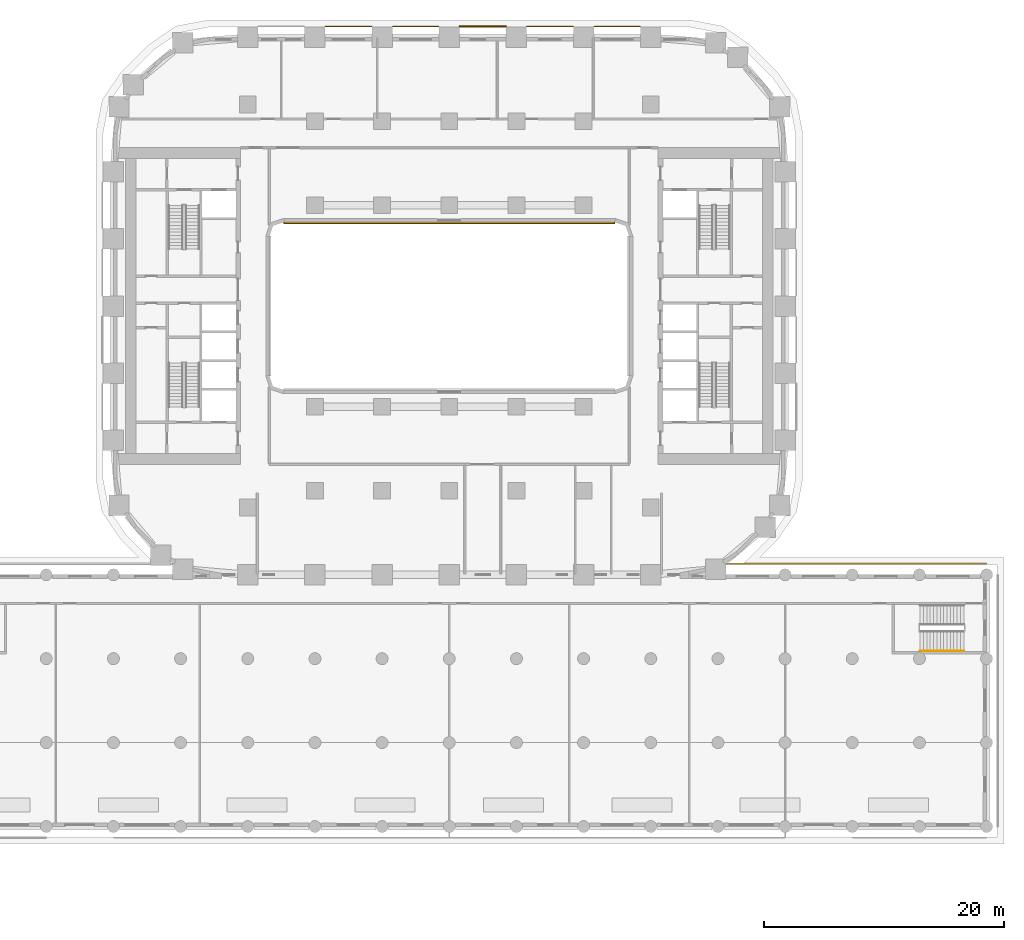
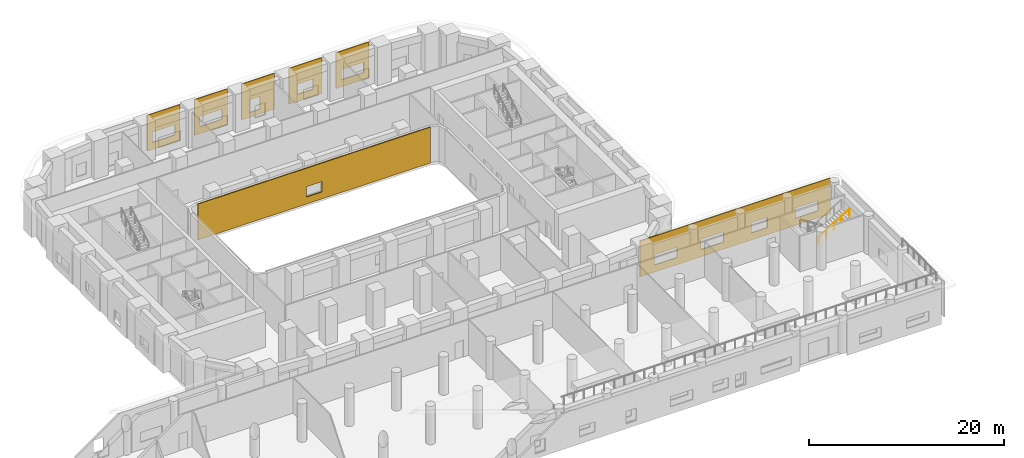
# One storey, part 21 of 23: 7 coverings, 1 railing.
"""IFC4 building model written with IfcOpenShell, lengths in metres."""

from ifc_helpers import new_model, si_unit, direction, frame, origin, origin_2d, place, context, subcontext, project, spatial, polyline, circle, outline, extrude, material, layer, layer_set, type_object, element, save


model = new_model("IFC4")

# Units and contexts
model_context = context("Model", 3, precision=1e-05, world=origin(), true_north=direction((0.0, 1.0)))
body_context = subcontext(model_context, "Body", "Model", "MODEL_VIEW")
ifc_project = project(units=[si_unit("LENGTHUNIT", "METRE"), si_unit("AREAUNIT", "SQUARE_METRE"), si_unit("VOLUMEUNIT", "CUBIC_METRE"), si_unit("PLANEANGLEUNIT", "RADIAN"), si_unit("MASSUNIT", "GRAM", prefix="KILO")], contexts=[model_context])

# Site, building, storey
site_placement = place(None, origin())
site = spatial("IfcSite", under=ifc_project, at=site_placement, CompositionType="ELEMENT")
building_placement = place(site_placement, origin())
building = spatial("IfcBuilding", under=site, at=building_placement, Name="Kiln Ring Residences", CompositionType="ELEMENT")
storey_placement = place(building_placement, frame((0.0, 0.0, 16.10009765625)))
storey = spatial("IfcBuildingStorey", under=building, at=storey_placement, Name="L03", CompositionType="ELEMENT", Elevation=16.10009765625)

# Railing
ifc_material_1 = material(Name="Stainless steel", Category="steel")
railing_type = type_object("IfcRailingType", Name="PODIUM-STAIR-HANDRAIL", PredefinedType="HANDRAIL", material=ifc_material_1)
railing_placement = place(storey_placement, frame((39.260009765625, -28.75, 2.5712890625)))
element("IfcRailing", 1, at=railing_placement, inside=storey, type_object=railing_type, Name="L03 PS-E stair handrail 2", PredefinedType="HANDRAIL", context=body_context, shape_type="SweptSolid", body=[
    extrude(circle(Radius=0.02392578125, at=origin_2d()), frame((0.0, 0.0, 0.8759765625), z_axis=(0.852850264322, 0.0, 0.5221555579), x_axis=(0.0, 1.0, 0.0)), (0.0, 0.0, 1.0), 4.267822265625),
    extrude(circle(Radius=0.02099609375, at=origin_2d()), origin(), (0.0, 0.0, 1.0), 0.851806640625),
    extrude(circle(Radius=0.02099609375, at=origin_2d()), frame((0.909912109375, 0.0, 0.55712890625)), (0.0, 0.0, 1.0), 0.851806640625),
    extrude(circle(Radius=0.02099609375, at=origin_2d()), frame((1.81982421875, 0.0, 1.1142578125)), (0.0, 0.0, 1.0), 0.851806640625),
    extrude(circle(Radius=0.02099609375, at=origin_2d()), frame((2.72998046875, 0.0, 1.67138671875)), (0.0, 0.0, 1.0), 0.851806640625),
    extrude(circle(Radius=0.02099609375, at=origin_2d()), frame((3.639892578125, 0.0, 2.228515625)), (0.0, 0.0, 1.0), 0.851806640625),
])

# Coverings
ifc_material_2 = material(Name="Brick masonry, dark clay brick", Category="masonry")
ifc_layer = layer(ifc_material_2, 0.1201171875)
ifc_layer_set = layer_set([ifc_layer], Name="RAINSCREEN PANEL 120")
covering_type = type_object("IfcCoveringType", Name="RAINSCREEN PANEL 120", PredefinedType="CLADDING", material=ifc_layer_set)
covering_1_placement = place(storey_placement, frame((44.800048828125, -21.489990234375, 0.0), z_axis=(0.0, 0.0, 1.0), x_axis=(-1.0, 0.0, 0.0)))
element("IfcCovering", 2, at=covering_1_placement, inside=storey, type_object=covering_type, Name="RAINSCREEN L03", PredefinedType="CLADDING", context=body_context, shape_type="SweptSolid", body=[
    extrude(outline(polyline([(0.0, 0.0), (22.59130859375, 0.0), (22.59130859375, 4.5), (0.0, 4.5), (0.0, 0.0)]), holes=[polyline([(4.1201171875, 0.8798828125), (4.1201171875, 2.169921875), (1.47998046875, 2.169921875), (1.47998046875, 0.8798828125), (4.1201171875, 0.8798828125)]), polyline([(9.320068359375, 0.8798828125), (9.320068359375, 2.169921875), (7.47998046875, 2.169921875), (7.47998046875, 0.8798828125), (9.320068359375, 0.8798828125)]), polyline([(15.320068359375, 0.8798828125), (15.320068359375, 2.169921875), (12.679931640625, 2.169921875), (12.679931640625, 0.8798828125), (15.320068359375, 0.8798828125)]), polyline([(20.840576171875, 0.8798828125), (20.840576171875, 2.169921875), (18.20068359375, 2.169921875), (18.20068359375, 0.8798828125), (20.840576171875, 0.8798828125)])]), frame((0.0, 0.06005859375, 0.0), z_axis=(0.0, -1.0, 0.0), x_axis=(1.0, 0.0, 0.0)), (0.0, 0.0, 1.0), 0.1201171875),
])
covering_2_placement = place(storey_placement, frame((15.949951171875, 23.31005859375, 0.0), z_axis=(0.0, 0.0, 1.0), x_axis=(-1.0, 0.0, 0.0)))
element("IfcCovering", 3, at=covering_2_placement, inside=storey, type_object=covering_type, Name="RAINSCREEN L03", PredefinedType="CLADDING", context=body_context, shape_type="SweptSolid", body=[
    extrude(outline(polyline([(0.0, 0.0), (3.89990234375, 0.0), (3.89990234375, 4.5), (0.0, 4.5), (0.0, 0.0)]), holes=[polyline([(0.617431640625, 2.169921875), (0.617431640625, 0.8798828125), (3.257568359375, 0.8798828125), (3.257568359375, 2.169921875), (0.617431640625, 2.169921875)])]), frame((0.0, 0.06005859375, 0.0), z_axis=(0.0, -1.0, 0.0), x_axis=(1.0, 0.0, 0.0)), (0.0, 0.0, 1.0), 0.1201171875),
])
covering_3_placement = place(storey_placement, frame((10.35009765625, 23.31005859375, 0.0), z_axis=(0.0, 0.0, 1.0), x_axis=(-1.0, 0.0, 0.0)))
element("IfcCovering", 4, at=covering_3_placement, inside=storey, type_object=covering_type, Name="RAINSCREEN L03", PredefinedType="CLADDING", context=body_context, shape_type="SweptSolid", body=[
    extrude(outline(polyline([(0.0, 0.0), (3.89990234375, 0.0), (3.89990234375, 4.5), (0.0, 4.5), (0.0, 0.0)]), holes=[polyline([(1.030029296875, 2.169921875), (1.030029296875, 0.8798828125), (2.8701171875, 0.8798828125), (2.8701171875, 2.169921875), (1.030029296875, 2.169921875)])]), frame((0.0, 0.06005859375, 0.0), z_axis=(0.0, -1.0, 0.0), x_axis=(1.0, 0.0, 0.0)), (0.0, 0.0, 1.0), 0.1201171875),
])
covering_4_placement = place(storey_placement, frame((4.75, 23.31005859375, 0.0), z_axis=(0.0, 0.0, 1.0), x_axis=(-1.0, 0.0, 0.0)))
element("IfcCovering", 5, at=covering_4_placement, inside=storey, type_object=covering_type, Name="RAINSCREEN L03", PredefinedType="CLADDING", context=body_context, shape_type="SweptSolid", body=[
    extrude(outline(polyline([(0.0, 0.0), (3.89990234375, 0.0), (3.89990234375, 4.5), (0.0, 4.5), (0.0, 0.0)]), holes=[polyline([(1.742431640625, 2.169921875), (1.742431640625, 0.579833984375), (2.982421875, 0.579833984375), (2.982421875, 2.169921875), (1.742431640625, 2.169921875)])]), frame((0.0, 0.06005859375, 0.0), z_axis=(0.0, -1.0, 0.0), x_axis=(1.0, 0.0, 0.0)), (0.0, 0.0, 1.0), 0.1201171875),
])
for number, where, z_axis, x_axis, name in (
    (6, (-0.85009765625, 23.31005859375, 0.0), (0.0, 0.0, 1.0), (-1.0, 0.0, 0.0), "RAINSCREEN L03"),
    (7, (-6.449951171875, 23.31005859375, 0.0), (0.0, 0.0, 1.0), (-1.0, 0.0, 0.0), "RAINSCREEN L03"),
):
    element("IfcCovering", number, at=place(storey_placement, frame(where, z_axis=z_axis, x_axis=x_axis)), inside=storey, type_object=covering_type, Name=name, PredefinedType="CLADDING", context=body_context, shape_type="SweptSolid", body=[
        extrude(outline(polyline([(0.0, 0.0), (3.89990234375, 0.0), (3.89990234375, 4.5), (0.0, 4.5), (0.0, 0.0)]), holes=[polyline([(0.6298828125, 2.169921875), (0.6298828125, 0.8798828125), (3.27001953125, 0.8798828125), (3.27001953125, 2.169921875), (0.6298828125, 2.169921875)])]), frame((0.0, 0.06005859375, 0.0), z_axis=(0.0, -1.0, 0.0), x_axis=(1.0, 0.0, 0.0)), (0.0, 0.0, 1.0), 0.1201171875),
    ])
covering_5_placement = place(storey_placement, frame((-13.800048828125, 6.93994140625, 0.0), z_axis=(0.0, 0.0, 1.0), x_axis=(1.0, 0.0, 0.0)))
element("IfcCovering", 8, at=covering_5_placement, inside=storey, type_object=covering_type, Name="RAINSCREEN L03", PredefinedType="CLADDING", context=body_context, shape_type="SweptSolid", body=[
    extrude(outline(polyline([(0.0, 0.0), (27.60009765625, 0.0), (27.60009765625, 4.5), (0.0, 4.5), (0.0, 0.0)]), holes=[polyline([(12.8798828125, 2.169921875), (12.8798828125, 0.8798828125), (14.719970703125, 0.8798828125), (14.719970703125, 2.169921875), (12.8798828125, 2.169921875)])]), frame((0.0, 0.06005859375, 0.0), z_axis=(0.0, -1.0, 0.0), x_axis=(1.0, 0.0, 0.0)), (0.0, 0.0, 1.0), 0.1201171875),
])

save(model, "model.ifc")
